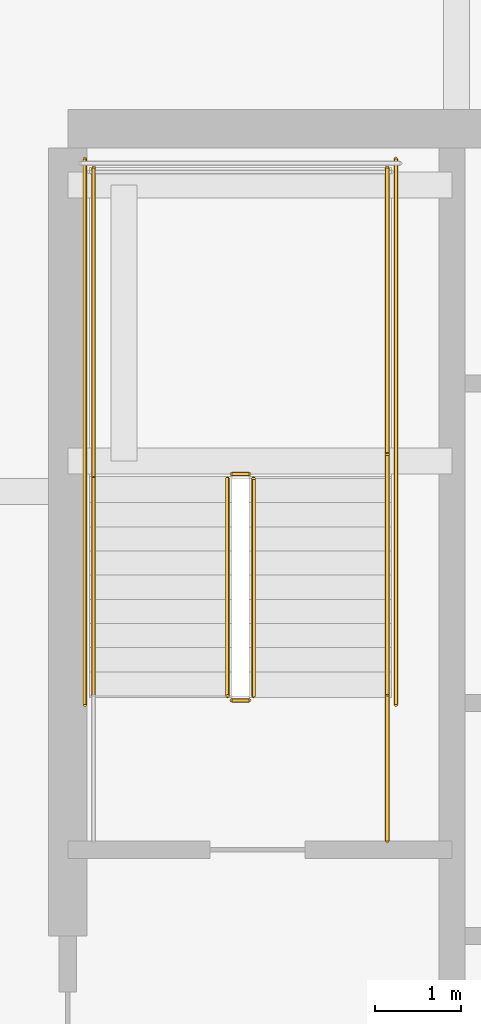
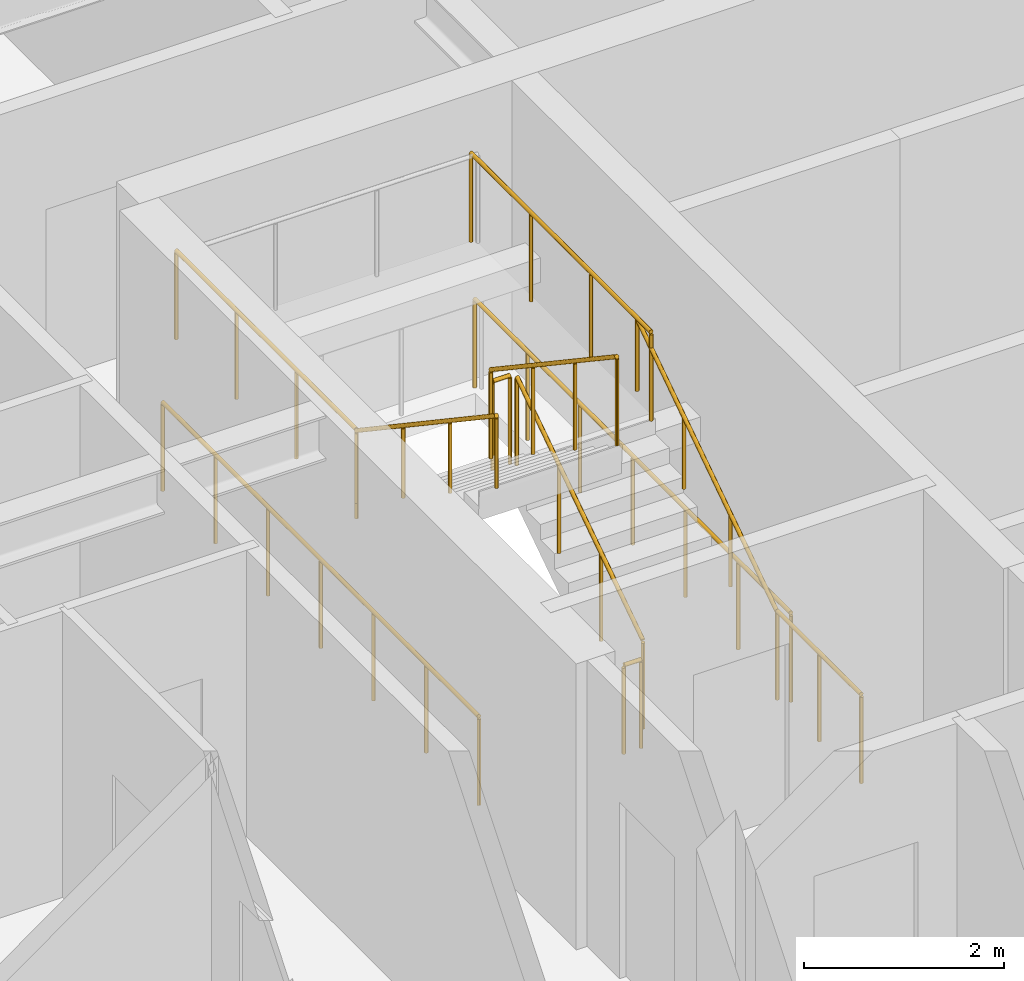
# One storey, part 35 of 38: 11 railings.
"""IFC4 building model written with IfcOpenShell, lengths in metres."""

from ifc_helpers import new_model, si_unit, direction, frame, origin, origin_2d, place, context, subcontext, project, spatial, circle, extrude, material, type_object, element, save


model = new_model("IFC4")

# Units and contexts
model_context = context("Model", 3, precision=1e-05, world=origin(), true_north=direction((0.0, 1.0)))
body_context = subcontext(model_context, "Body", "Model", "MODEL_VIEW")
ifc_project = project(units=[si_unit("LENGTHUNIT", "METRE"), si_unit("AREAUNIT", "SQUARE_METRE"), si_unit("VOLUMEUNIT", "CUBIC_METRE"), si_unit("PLANEANGLEUNIT", "RADIAN"), si_unit("MASSUNIT", "GRAM", prefix="KILO")], contexts=[model_context])

# Site, building, storey
site_placement = place(None, origin())
site = spatial("IfcSite", under=ifc_project, at=site_placement, CompositionType="ELEMENT")
building_placement = place(site_placement, origin())
building = spatial("IfcBuilding", under=site, at=building_placement, Name="Serunith Strait Residences", CompositionType="ELEMENT")
storey_placement = place(building_placement, frame((0.0, 0.0, 30.449951171875)))
storey = spatial("IfcBuildingStorey", under=building, at=storey_placement, Name="L06", CompositionType="ELEMENT", Elevation=30.449951171875)

# Railings
ifc_material = material(Name="Brushed stainless steel 316L", Category="steel")
railing_type_1 = type_object("IfcRailingType", Name="RLG-STAIR-GUARD", PredefinedType="BALUSTRADE", material=ifc_material)
railing_1_placement = place(storey_placement, frame((25.550048828125, 27.030029296875, 0.1875)))
element("IfcRailing", 1, at=railing_1_placement, inside=storey, type_object=railing_type_1, Name="L06 ST-1 stair guard 1", PredefinedType="BALUSTRADE", context=body_context, shape_type="SweptSolid", body=[
    extrude(circle(Radius=0.02392578125, at=origin_2d()), frame((0.0, 0.001708984375, 1.0771484375), z_axis=(0.0, 0.830909170722, 0.55640807867), x_axis=(-1.0, 0.0, 0.0)), (0.0, 0.0, 1.0), 3.02880859375),
    extrude(circle(Radius=0.02099609375, at=origin_2d()), origin(), (0.0, 0.0, 1.0), 1.050048828125),
    extrude(circle(Radius=0.02099609375, at=origin_2d()), frame((0.0, 0.840087890625, 0.5625)), (0.0, 0.0, 1.0), 1.050048828125),
    extrude(circle(Radius=0.02099609375, at=origin_2d()), frame((0.0, 1.679931640625, 1.125)), (0.0, 0.0, 1.0), 1.050048828125),
    extrude(circle(Radius=0.02099609375, at=origin_2d()), frame((0.0, 2.52001953125, 1.6875)), (0.0, 0.0, 1.0), 1.050048828125),
])
railing_2_placement = place(storey_placement, frame((25.5, 29.60009765625, 1.875)))
element("IfcRailing", 2, at=railing_2_placement, inside=storey, type_object=railing_type_1, Name="L06 ST-1 stair guard 2", PredefinedType="BALUSTRADE", context=body_context, shape_type="SweptSolid", body=[
    extrude(circle(Radius=0.02392578125, at=origin_2d()), frame((-0.001953125, 0.0, 1.076171875), z_axis=(-1.0, 0.0, 0.0), x_axis=(0.0, -1.0, 0.0)), (0.0, 0.0, 1.0), 0.196044921875),
    extrude(circle(Radius=0.02099609375, at=origin_2d()), origin(), (0.0, 0.0, 1.0), 1.050048828125),
    extrude(circle(Radius=0.02099609375, at=origin_2d()), frame((-0.199951171875, 0.0, 0.0)), (0.0, 0.0, 1.0), 1.050048828125),
])
for number, where, name in (
    (3, (27.10009765625, 29.550048828125, 1.875), "L06 ST-1 stair guard 3"),
    (4, (23.699951171875, 29.550048828125, 1.875), "L06 ST-1 stair guard 4"),
):
    element("IfcRailing", number, at=place(storey_placement, frame(where)), inside=storey, type_object=railing_type_1, Name=name, PredefinedType="BALUSTRADE", context=body_context, shape_type="SweptSolid", body=[
        extrude(circle(Radius=0.02392578125, at=origin_2d()), frame((0.0, 0.001953125, 1.076171875), z_axis=(0.0, 1.0, 0.0), x_axis=(-1.0, 0.0, 0.0)), (0.0, 0.0, 1.0), 3.595947265625),
        extrude(circle(Radius=0.02099609375, at=origin_2d()), origin(), (0.0, 0.0, 1.0), 1.050048828125),
        extrude(circle(Radius=0.02099609375, at=origin_2d()), frame((0.0, 1.199951171875, 0.0)), (0.0, 0.0, 1.0), 1.050048828125),
        extrude(circle(Radius=0.02099609375, at=origin_2d()), frame((0.0, 2.39990234375, 0.0)), (0.0, 0.0, 1.0), 1.050048828125),
        extrude(circle(Radius=0.02099609375, at=origin_2d()), frame((0.0, 3.599853515625, 0.0)), (0.0, 0.0, 1.0), 1.050048828125),
    ])
railing_3_placement = place(storey_placement, frame((25.25, 29.550048828125, 2.0625)))
element("IfcRailing", 5, at=railing_3_placement, inside=storey, type_object=railing_type_1, Name="L06 ST-1 stair guard 6", PredefinedType="BALUSTRADE", context=body_context, shape_type="SweptSolid", body=[
    extrude(circle(Radius=0.02392578125, at=origin_2d()), frame((0.0, -0.001708984375, 1.0771484375), z_axis=(0.0, -0.830909170722, 0.55640807867), x_axis=(1.0, 0.0, 0.0)), (0.0, 0.0, 1.0), 3.02880859375),
    extrude(circle(Radius=0.02099609375, at=origin_2d()), origin(), (0.0, 0.0, 1.0), 1.050048828125),
    extrude(circle(Radius=0.02099609375, at=origin_2d()), frame((0.0, -0.840087890625, 0.5625)), (0.0, 0.0, 1.0), 1.050048828125),
    extrude(circle(Radius=0.02099609375, at=origin_2d()), frame((0.0, -1.679931640625, 1.125)), (0.0, 0.0, 1.0), 1.050048828125),
    extrude(circle(Radius=0.02099609375, at=origin_2d()), frame((0.0, -2.52001953125, 1.6875)), (0.0, 0.0, 1.0), 1.050048828125),
])
railing_4_placement = place(storey_placement, frame((25.5, 26.97998046875, 0.0)))
element("IfcRailing", 6, at=railing_4_placement, inside=storey, type_object=railing_type_1, Name="L06 ST-1 stair guard 7", PredefinedType="BALUSTRADE", context=body_context, shape_type="SweptSolid", body=[
    extrude(circle(Radius=0.02392578125, at=origin_2d()), frame((-0.001953125, 0.0, 1.076171875), z_axis=(-1.0, 0.0, 0.0), x_axis=(0.0, -1.0, 0.0)), (0.0, 0.0, 1.0), 0.196044921875),
    extrude(circle(Radius=0.02099609375, at=origin_2d()), origin(), (0.0, 0.0, 1.0), 1.050048828125),
    extrude(circle(Radius=0.02099609375, at=origin_2d()), frame((-0.199951171875, 0.0, 0.0)), (0.0, 0.0, 1.0), 1.050048828125),
])
railing_5_placement = place(storey_placement, frame((27.10009765625, 25.35009765625, 0.0)))
element("IfcRailing", 7, at=railing_5_placement, inside=storey, type_object=railing_type_1, Name="L06 ST-1 stair guard 8", PredefinedType="BALUSTRADE", context=body_context, shape_type="SweptSolid", body=[
    extrude(circle(Radius=0.02392578125, at=origin_2d()), frame((0.0, 0.001953125, 1.076171875), z_axis=(0.0, 1.0, 0.0), x_axis=(-1.0, 0.0, 0.0)), (0.0, 0.0, 1.0), 1.676025390625),
    extrude(circle(Radius=0.02099609375, at=origin_2d()), origin(), (0.0, 0.0, 1.0), 1.050048828125),
    extrude(circle(Radius=0.02099609375, at=origin_2d()), frame((0.0, 0.83984375, 0.0)), (0.0, 0.0, 1.0), 1.050048828125),
    extrude(circle(Radius=0.02099609375, at=origin_2d()), frame((0.0, 1.679931640625, 0.0)), (0.0, 0.0, 1.0), 1.050048828125),
])
for number, where, name in (
    (8, (27.199951171875, 26.929931640625, 0.0), "L06 ST-1 stair guard 10"),
    (9, (23.60009765625, 26.929931640625, 0.0), "L06 ST-1 stair guard 11"),
):
    element("IfcRailing", number, at=place(storey_placement, frame(where)), inside=storey, type_object=railing_type_1, Name=name, PredefinedType="BALUSTRADE", context=body_context, shape_type="SweptSolid", body=[
        extrude(circle(Radius=0.02392578125, at=origin_2d()), frame((0.0, 0.001953125, 1.076171875), z_axis=(0.0, 1.0, 0.0), x_axis=(-1.0, 0.0, 0.0)), (0.0, 0.0, 1.0), 6.316162109375),
        extrude(circle(Radius=0.02099609375, at=origin_2d()), origin(), (0.0, 0.0, 1.0), 1.050048828125),
        extrude(circle(Radius=0.02099609375, at=origin_2d()), frame((0.0, 1.05322265625, 0.0)), (0.0, 0.0, 1.0), 1.050048828125),
        extrude(circle(Radius=0.02099609375, at=origin_2d()), frame((0.0, 2.106689453125, 0.0)), (0.0, 0.0, 1.0), 1.050048828125),
        extrude(circle(Radius=0.02099609375, at=origin_2d()), frame((0.0, 3.16015625, 0.0)), (0.0, 0.0, 1.0), 1.050048828125),
        extrude(circle(Radius=0.02099609375, at=origin_2d()), frame((0.0, 4.21337890625, 0.0)), (0.0, 0.0, 1.0), 1.050048828125),
        extrude(circle(Radius=0.02099609375, at=origin_2d()), frame((0.0, 5.2666015625, 0.0)), (0.0, 0.0, 1.0), 1.050048828125),
        extrude(circle(Radius=0.02099609375, at=origin_2d()), frame((0.0, 6.320068359375, 0.0)), (0.0, 0.0, 1.0), 1.050048828125),
    ])
railing_type_2 = type_object("IfcRailingType", Name="RLG-STAIR-HR", PredefinedType="HANDRAIL", material=ifc_material)
railing_6_placement = place(storey_placement, frame((27.10009765625, 27.030029296875, 0.1875)))
element("IfcRailing", 10, at=railing_6_placement, inside=storey, type_object=railing_type_2, Name="L06 ST-1 stair handrail 1", PredefinedType="HANDRAIL", context=body_context, shape_type="SweptSolid", body=[
    extrude(circle(Radius=0.02392578125, at=origin_2d()), frame((0.0, 0.001708984375, 0.876953125), z_axis=(0.0, 0.830208209119, 0.557453432594), x_axis=(-1.0, 0.0, 0.0)), (0.0, 0.0, 1.0), 3.36865234375),
    extrude(circle(Radius=0.02099609375, at=origin_2d()), origin(), (0.0, 0.0, 1.0), 0.849853515625),
    extrude(circle(Radius=0.02099609375, at=origin_2d()), frame((0.0, 0.933349609375, 0.626708984375)), (0.0, 0.0, 1.0), 0.849853515625),
    extrude(circle(Radius=0.02099609375, at=origin_2d()), frame((0.0, 1.86669921875, 1.25341796875)), (0.0, 0.0, 1.0), 0.849853515625),
    extrude(circle(Radius=0.02099609375, at=origin_2d()), frame((0.0, 2.800048828125, 1.880126953125)), (0.0, 0.0, 1.0), 0.849853515625),
])
railing_7_placement = place(storey_placement, frame((23.699951171875, 29.550048828125, 2.0625)))
element("IfcRailing", 11, at=railing_7_placement, inside=storey, type_object=railing_type_2, Name="L06 ST-1 stair handrail 2", PredefinedType="HANDRAIL", context=body_context, shape_type="SweptSolid", body=[
    extrude(circle(Radius=0.02392578125, at=origin_2d()), frame((0.0, -0.001708984375, 0.876953125), z_axis=(0.0, -0.830208209119, 0.557453432594), x_axis=(1.0, 0.0, 0.0)), (0.0, 0.0, 1.0), 3.36865234375),
    extrude(circle(Radius=0.02099609375, at=origin_2d()), origin(), (0.0, 0.0, 1.0), 0.849853515625),
    extrude(circle(Radius=0.02099609375, at=origin_2d()), frame((0.0, -0.933349609375, 0.626708984375)), (0.0, 0.0, 1.0), 0.849853515625),
    extrude(circle(Radius=0.02099609375, at=origin_2d()), frame((0.0, -1.86669921875, 1.25341796875)), (0.0, 0.0, 1.0), 0.849853515625),
    extrude(circle(Radius=0.02099609375, at=origin_2d()), frame((0.0, -2.800048828125, 1.880126953125)), (0.0, 0.0, 1.0), 0.849853515625),
])

save(model, "model.ifc")
